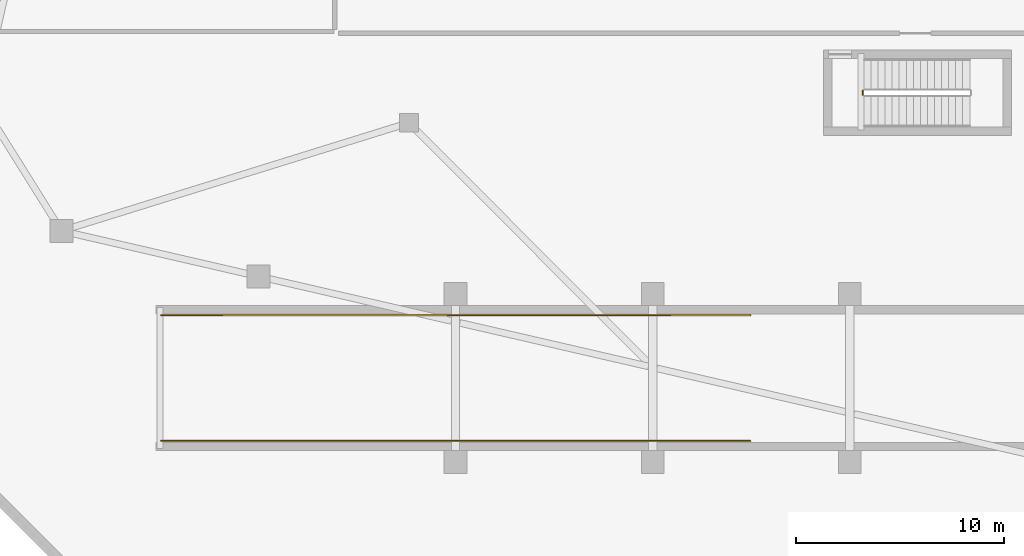
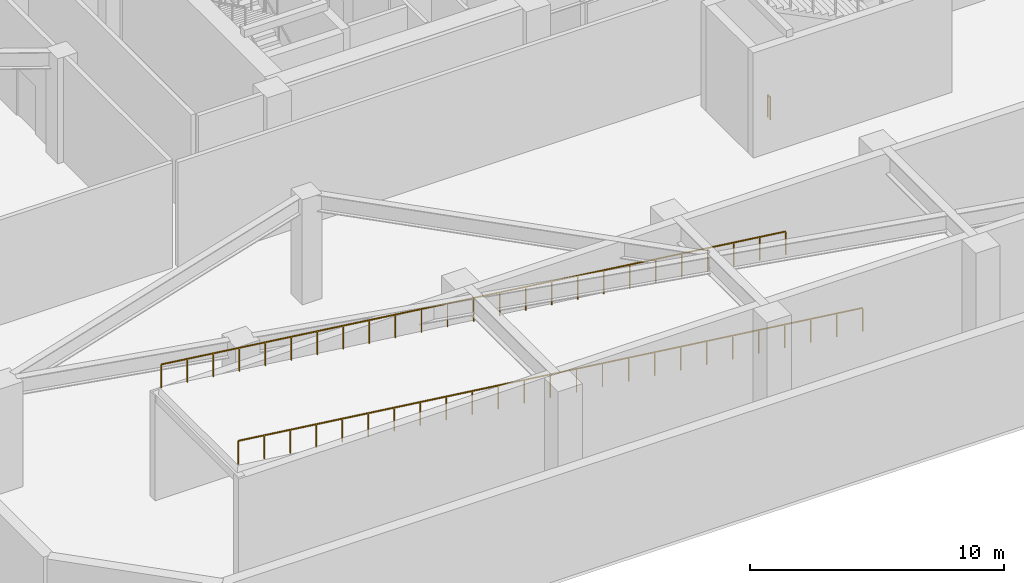
# One storey, part 9 of 11: 3 railings.
"""IFC4 building model written with IfcOpenShell, lengths in metres."""

from ifc_helpers import new_model, si_unit, direction, frame, origin, origin_2d, place, context, subcontext, project, spatial, rectangle, extrude, material, layer, layer_set, type_object, element, save


model = new_model("IFC4")

# Units and contexts
model_context = context("Model", 3, precision=1e-05, world=origin(), true_north=direction((0.0, 1.0)))
body_context = subcontext(model_context, "Body", "Model", "MODEL_VIEW")
ifc_project = project(units=[si_unit("LENGTHUNIT", "METRE"), si_unit("AREAUNIT", "SQUARE_METRE"), si_unit("VOLUMEUNIT", "CUBIC_METRE"), si_unit("PLANEANGLEUNIT", "RADIAN"), si_unit("MASSUNIT", "GRAM", prefix="KILO")], contexts=[model_context])

# Site, building, storey
site_placement = place(None, origin())
site = spatial("IfcSite", under=ifc_project, at=site_placement, CompositionType="ELEMENT")
building_placement = place(site_placement, origin())
building = spatial("IfcBuilding", under=site, at=building_placement, Name="Tavrogorsk Clinical Tower", CompositionType="ELEMENT")
storey_placement = place(building_placement, frame((0.0, 0.0, -5.39990234375)))
storey = spatial("IfcBuildingStorey", under=building, at=storey_placement, Name="B1", CompositionType="ELEMENT", Elevation=-5.39990234375)

# Railings
ifc_material_1 = material(Name="Galvanised steel S355 safety guardrail", Category="steel")
ifc_layer_1 = layer(ifc_material_1, 0.080078125)
ifc_layer_set_1 = layer_set([ifc_layer_1], Name="Galvanised steel S355 safety guardrail")
railing_type_1 = type_object("IfcRailingType", Name="RoofEdgeGuardRailing_1150", PredefinedType="GUARDRAIL", material=ifc_layer_set_1)
railing_1_placement = place(storey_placement, frame((-36.449951171875, -28.530029296875, 5.389892578125)))
element("IfcRailing", 1, at=railing_1_placement, inside=storey, type_object=railing_type_1, Name="B1 Vehicle Ramp Kerb Guardrail S", PredefinedType="GUARDRAIL", context=body_context, shape_type="SweptSolid", body=[
    extrude(rectangle(XDim=0.048095703125, YDim=0.048095703125, at=origin_2d()), frame((0.0, 0.0, 1.1259765625), z_axis=(0.992277614245, 0.0, -0.124036834317), x_axis=(0.0, 1.0, 0.0)), (0.0, 0.0, 1.0), 28.620849609375),
    extrude(rectangle(XDim=0.0419921875, YDim=0.0419921875, at=origin_2d()), origin(), (0.0, 0.0, 1.0), 1.101806640625),
    extrude(rectangle(XDim=0.0419921875, YDim=0.0419921875, at=origin_2d()), frame((1.183349609375, 0.0, -0.14794921875)), (0.0, 0.0, 1.0), 1.101806640625),
    extrude(rectangle(XDim=0.0419921875, YDim=0.0419921875, at=origin_2d()), frame((2.36669921875, 0.0, -0.2958984375)), (0.0, 0.0, 1.0), 1.101806640625),
    extrude(rectangle(XDim=0.0419921875, YDim=0.0419921875, at=origin_2d()), frame((3.550048828125, 0.0, -0.44384765625)), (0.0, 0.0, 1.0), 1.101806640625),
    extrude(rectangle(XDim=0.0419921875, YDim=0.0419921875, at=origin_2d()), frame((4.7333984375, 0.0, -0.591796875)), (0.0, 0.0, 1.0), 1.101806640625),
    extrude(rectangle(XDim=0.0419921875, YDim=0.0419921875, at=origin_2d()), frame((5.916748046875, 0.0, -0.739501953125)), (0.0, 0.0, 1.0), 1.101806640625),
    extrude(rectangle(XDim=0.0419921875, YDim=0.0419921875, at=origin_2d()), frame((7.10009765625, 0.0, -0.887451171875)), (0.0, 0.0, 1.0), 1.101806640625),
    extrude(rectangle(XDim=0.0419921875, YDim=0.0419921875, at=origin_2d()), frame((8.283203125, 0.0, -1.035400390625)), (0.0, 0.0, 1.0), 1.101806640625),
    extrude(rectangle(XDim=0.0419921875, YDim=0.0419921875, at=origin_2d()), frame((9.466552734375, 0.0, -1.183349609375)), (0.0, 0.0, 1.0), 1.101806640625),
    extrude(rectangle(XDim=0.0419921875, YDim=0.0419921875, at=origin_2d()), frame((10.64990234375, 0.0, -1.331298828125)), (0.0, 0.0, 1.0), 1.101806640625),
    extrude(rectangle(XDim=0.0419921875, YDim=0.0419921875, at=origin_2d()), frame((11.833251953125, 0.0, -1.479248046875)), (0.0, 0.0, 1.0), 1.101806640625),
    extrude(rectangle(XDim=0.0419921875, YDim=0.0419921875, at=origin_2d()), frame((13.0166015625, 0.0, -1.627197265625)), (0.0, 0.0, 1.0), 1.101806640625),
    extrude(rectangle(XDim=0.0419921875, YDim=0.0419921875, at=origin_2d()), frame((14.199951171875, 0.0, -1.77490234375)), (0.0, 0.0, 1.0), 1.101806640625),
    extrude(rectangle(XDim=0.0419921875, YDim=0.0419921875, at=origin_2d()), frame((15.38330078125, 0.0, -1.9228515625)), (0.0, 0.0, 1.0), 1.101806640625),
    extrude(rectangle(XDim=0.0419921875, YDim=0.0419921875, at=origin_2d()), frame((16.566650390625, 0.0, -2.07080078125)), (0.0, 0.0, 1.0), 1.101806640625),
    extrude(rectangle(XDim=0.0419921875, YDim=0.0419921875, at=origin_2d()), frame((17.75, 0.0, -2.21875)), (0.0, 0.0, 1.0), 1.101806640625),
    extrude(rectangle(XDim=0.0419921875, YDim=0.0419921875, at=origin_2d()), frame((18.933349609375, 0.0, -2.36669921875)), (0.0, 0.0, 1.0), 1.101806640625),
    extrude(rectangle(XDim=0.0419921875, YDim=0.0419921875, at=origin_2d()), frame((20.11669921875, 0.0, -2.5146484375)), (0.0, 0.0, 1.0), 1.101806640625),
    extrude(rectangle(XDim=0.0419921875, YDim=0.0419921875, at=origin_2d()), frame((21.2998046875, 0.0, -2.66259765625)), (0.0, 0.0, 1.0), 1.101806640625),
    extrude(rectangle(XDim=0.0419921875, YDim=0.0419921875, at=origin_2d()), frame((22.483154296875, 0.0, -2.810546875)), (0.0, 0.0, 1.0), 1.101806640625),
    extrude(rectangle(XDim=0.0419921875, YDim=0.0419921875, at=origin_2d()), frame((23.66650390625, 0.0, -2.95849609375)), (0.0, 0.0, 1.0), 1.101806640625),
    extrude(rectangle(XDim=0.0419921875, YDim=0.0419921875, at=origin_2d()), frame((24.849853515625, 0.0, -3.106201171875)), (0.0, 0.0, 1.0), 1.101806640625),
    extrude(rectangle(XDim=0.0419921875, YDim=0.0419921875, at=origin_2d()), frame((26.033203125, 0.0, -3.254150390625)), (0.0, 0.0, 1.0), 1.101806640625),
    extrude(rectangle(XDim=0.0419921875, YDim=0.0419921875, at=origin_2d()), frame((27.216552734375, 0.0, -3.402099609375)), (0.0, 0.0, 1.0), 1.101806640625),
    extrude(rectangle(XDim=0.0419921875, YDim=0.0419921875, at=origin_2d()), frame((28.39990234375, 0.0, -3.550048828125)), (0.0, 0.0, 1.0), 1.101806640625),
])
railing_2_placement = place(storey_placement, frame((-36.449951171875, -22.469970703125, 5.389892578125)))
element("IfcRailing", 2, at=railing_2_placement, inside=storey, type_object=railing_type_1, Name="B1 Vehicle Ramp Kerb Guardrail N", PredefinedType="GUARDRAIL", context=body_context, shape_type="SweptSolid", body=[
    extrude(rectangle(XDim=0.048095703125, YDim=0.048095703125, at=origin_2d()), frame((0.0, 0.0, 1.1259765625), z_axis=(0.992277614245, 0.0, -0.124036834317), x_axis=(0.0, 1.0, 0.0)), (0.0, 0.0, 1.0), 28.620849609375),
    extrude(rectangle(XDim=0.0419921875, YDim=0.0419921875, at=origin_2d()), origin(), (0.0, 0.0, 1.0), 1.101806640625),
    extrude(rectangle(XDim=0.0419921875, YDim=0.0419921875, at=origin_2d()), frame((1.183349609375, 0.0, -0.14794921875)), (0.0, 0.0, 1.0), 1.101806640625),
    extrude(rectangle(XDim=0.0419921875, YDim=0.0419921875, at=origin_2d()), frame((2.36669921875, 0.0, -0.2958984375)), (0.0, 0.0, 1.0), 1.101806640625),
    extrude(rectangle(XDim=0.0419921875, YDim=0.0419921875, at=origin_2d()), frame((3.550048828125, 0.0, -0.44384765625)), (0.0, 0.0, 1.0), 1.101806640625),
    extrude(rectangle(XDim=0.0419921875, YDim=0.0419921875, at=origin_2d()), frame((4.7333984375, 0.0, -0.591796875)), (0.0, 0.0, 1.0), 1.101806640625),
    extrude(rectangle(XDim=0.0419921875, YDim=0.0419921875, at=origin_2d()), frame((5.916748046875, 0.0, -0.739501953125)), (0.0, 0.0, 1.0), 1.101806640625),
    extrude(rectangle(XDim=0.0419921875, YDim=0.0419921875, at=origin_2d()), frame((7.10009765625, 0.0, -0.887451171875)), (0.0, 0.0, 1.0), 1.101806640625),
    extrude(rectangle(XDim=0.0419921875, YDim=0.0419921875, at=origin_2d()), frame((8.283203125, 0.0, -1.035400390625)), (0.0, 0.0, 1.0), 1.101806640625),
    extrude(rectangle(XDim=0.0419921875, YDim=0.0419921875, at=origin_2d()), frame((9.466552734375, 0.0, -1.183349609375)), (0.0, 0.0, 1.0), 1.101806640625),
    extrude(rectangle(XDim=0.0419921875, YDim=0.0419921875, at=origin_2d()), frame((10.64990234375, 0.0, -1.331298828125)), (0.0, 0.0, 1.0), 1.101806640625),
    extrude(rectangle(XDim=0.0419921875, YDim=0.0419921875, at=origin_2d()), frame((11.833251953125, 0.0, -1.479248046875)), (0.0, 0.0, 1.0), 1.101806640625),
    extrude(rectangle(XDim=0.0419921875, YDim=0.0419921875, at=origin_2d()), frame((13.0166015625, 0.0, -1.627197265625)), (0.0, 0.0, 1.0), 1.101806640625),
    extrude(rectangle(XDim=0.0419921875, YDim=0.0419921875, at=origin_2d()), frame((14.199951171875, 0.0, -1.77490234375)), (0.0, 0.0, 1.0), 1.101806640625),
    extrude(rectangle(XDim=0.0419921875, YDim=0.0419921875, at=origin_2d()), frame((15.38330078125, 0.0, -1.9228515625)), (0.0, 0.0, 1.0), 1.101806640625),
    extrude(rectangle(XDim=0.0419921875, YDim=0.0419921875, at=origin_2d()), frame((16.566650390625, 0.0, -2.07080078125)), (0.0, 0.0, 1.0), 1.101806640625),
    extrude(rectangle(XDim=0.0419921875, YDim=0.0419921875, at=origin_2d()), frame((17.75, 0.0, -2.21875)), (0.0, 0.0, 1.0), 1.101806640625),
    extrude(rectangle(XDim=0.0419921875, YDim=0.0419921875, at=origin_2d()), frame((18.933349609375, 0.0, -2.36669921875)), (0.0, 0.0, 1.0), 1.101806640625),
    extrude(rectangle(XDim=0.0419921875, YDim=0.0419921875, at=origin_2d()), frame((20.11669921875, 0.0, -2.5146484375)), (0.0, 0.0, 1.0), 1.101806640625),
    extrude(rectangle(XDim=0.0419921875, YDim=0.0419921875, at=origin_2d()), frame((21.2998046875, 0.0, -2.66259765625)), (0.0, 0.0, 1.0), 1.101806640625),
    extrude(rectangle(XDim=0.0419921875, YDim=0.0419921875, at=origin_2d()), frame((22.483154296875, 0.0, -2.810546875)), (0.0, 0.0, 1.0), 1.101806640625),
    extrude(rectangle(XDim=0.0419921875, YDim=0.0419921875, at=origin_2d()), frame((23.66650390625, 0.0, -2.95849609375)), (0.0, 0.0, 1.0), 1.101806640625),
    extrude(rectangle(XDim=0.0419921875, YDim=0.0419921875, at=origin_2d()), frame((24.849853515625, 0.0, -3.106201171875)), (0.0, 0.0, 1.0), 1.101806640625),
    extrude(rectangle(XDim=0.0419921875, YDim=0.0419921875, at=origin_2d()), frame((26.033203125, 0.0, -3.254150390625)), (0.0, 0.0, 1.0), 1.101806640625),
    extrude(rectangle(XDim=0.0419921875, YDim=0.0419921875, at=origin_2d()), frame((27.216552734375, 0.0, -3.402099609375)), (0.0, 0.0, 1.0), 1.101806640625),
    extrude(rectangle(XDim=0.0419921875, YDim=0.0419921875, at=origin_2d()), frame((28.39990234375, 0.0, -3.550048828125)), (0.0, 0.0, 1.0), 1.101806640625),
])
ifc_material_2 = material(Name="Galvanised steel S355 safety stairwell guard", Category="steel")
ifc_layer_2 = layer(ifc_material_2, 0.06005859375)
ifc_layer_set_2 = layer_set([ifc_layer_2], Name="Galvanised steel S355 safety stairwell guard")
railing_type_2 = type_object("IfcRailingType", Name="StairGuard_1150", PredefinedType="GUARDRAIL", material=ifc_layer_set_2)
railing_3_placement = place(storey_placement, frame((-2.625, -11.85009765625, 0.0)))
element("IfcRailing", 3, at=railing_3_placement, inside=storey, type_object=railing_type_2, Name="B1 ST-P stair guard 4", PredefinedType="GUARDRAIL", context=body_context, shape_type="SweptSolid", body=[
    extrude(rectangle(XDim=0.048095703125, YDim=0.048095703125, at=origin_2d()), frame((0.0, 0.0, 1.076171875), z_axis=(0.0, 1.0, 0.0), x_axis=(-1.0, 0.0, 0.0)), (0.0, 0.0, 1.0), 0.2001953125),
    extrude(rectangle(XDim=0.0419921875, YDim=0.0419921875, at=origin_2d()), origin(), (0.0, 0.0, 1.0), 1.052001953125),
    extrude(rectangle(XDim=0.0419921875, YDim=0.0419921875, at=origin_2d()), frame((0.0, 0.2001953125, 0.0)), (0.0, 0.0, 1.0), 1.052001953125),
])

save(model, "model.ifc")
